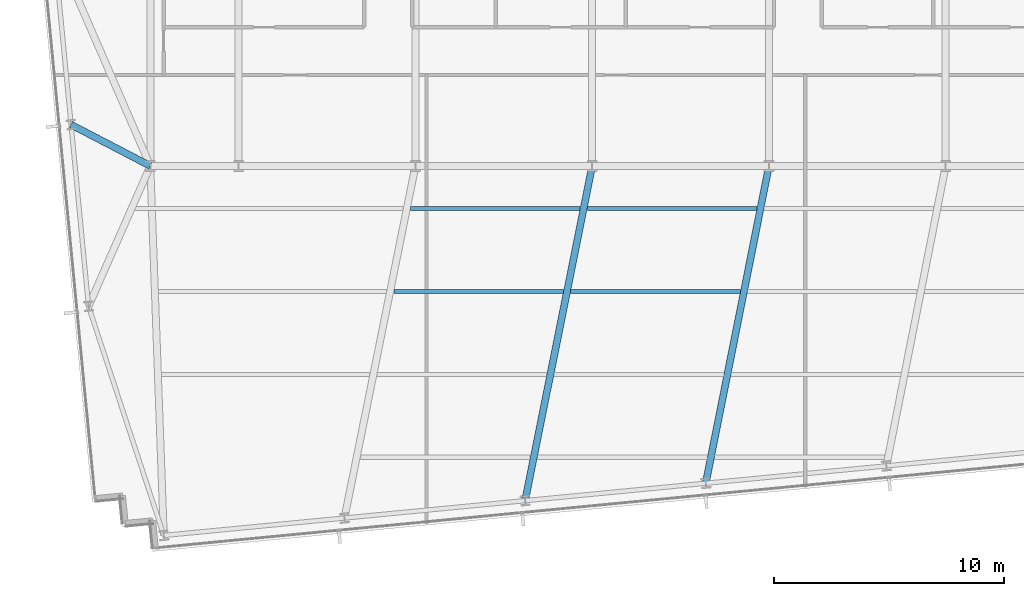
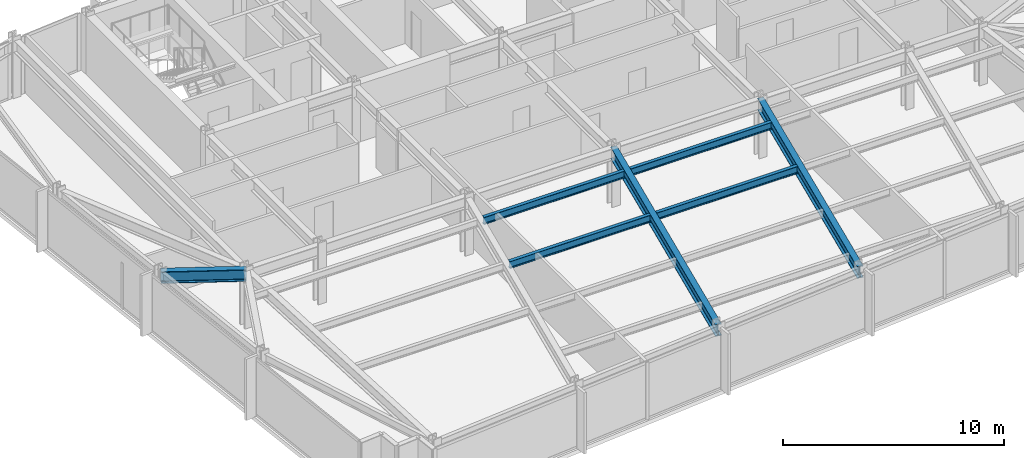
# One storey, part 5 of 32: 7 beams.
"""IFC4 building model written with IfcOpenShell, lengths in metres."""

from ifc_helpers import new_model, si_unit, direction, frame, origin, origin_2d, place, context, subcontext, project, spatial, i_section, extrude, material, material_profile, profile_set, type_object, element, save


model = new_model("IFC4")

# Units and contexts
model_context = context("Model", 3, precision=1e-05, world=origin(), true_north=direction((0.0, 1.0)))
body_context = subcontext(model_context, "Body", "Model", "MODEL_VIEW")
ifc_project = project(units=[si_unit("LENGTHUNIT", "METRE"), si_unit("AREAUNIT", "SQUARE_METRE"), si_unit("VOLUMEUNIT", "CUBIC_METRE"), si_unit("PLANEANGLEUNIT", "RADIAN"), si_unit("MASSUNIT", "GRAM", prefix="KILO")], contexts=[model_context])

# Site, building, storey
site_placement = place(None, origin())
site = spatial("IfcSite", under=ifc_project, at=site_placement, CompositionType="ELEMENT")
building_placement = place(site_placement, origin())
building = spatial("IfcBuilding", under=site, at=building_placement, Name="Yelkora Congress Tower", CompositionType="ELEMENT")
storey_placement = place(building_placement, frame((0.0, 0.0, 120.300048828125)))
storey = spatial("IfcBuildingStorey", under=building, at=storey_placement, Name="L32", CompositionType="ELEMENT", Elevation=120.300048828125)

# Beams
ifc_material = material(Name="Steel S355J2", Category="steel")
ifc_material_profile_1 = material_profile(ifc_material, i_section(OverallWidth=0.300048828125, OverallDepth=0.64990234375, WebThickness=0.01611328125, FlangeThickness=0.031005859375, FilletRadius=0.027099609375, at=origin_2d()), Name="HEB 650")
ifc_profile_set_1 = profile_set([ifc_material_profile_1], Name="Steel S355J2")
beam_type_1 = type_object("IfcBeamType", Name="BM-GIRD-HEB650", PredefinedType="BEAM", material=ifc_profile_set_1)
beam_1_placement = place(storey_placement, frame((35.48486328125, 10.656005859375, 2.85498046875), z_axis=(0.196521264673, 0.980499562739, 0.0), x_axis=(-0.980499562739, 0.196521264673, 0.0)))
element("IfcBeam", 1, at=beam_1_placement, inside=storey, type_object=beam_type_1, Name="L32 Primary Frame Girder S03", PredefinedType="BEAM", context=body_context, shape_type="SweptSolid", body=[
    extrude(i_section(OverallWidth=0.300048828125, OverallDepth=0.64990234375, WebThickness=0.01611328125, FlangeThickness=0.031005859375, FilletRadius=0.027099609375, at=origin_2d()), origin(), (0.0, 0.0, 1.0), 14.833251953125),
])
beam_2_placement = place(storey_placement, frame((43.334228515625, 11.411865234375, 2.85498046875), z_axis=(0.195311238928, 0.980741311432, 0.0), x_axis=(-0.980741311432, 0.195311238928, 0.0)))
element("IfcBeam", 2, at=beam_2_placement, inside=storey, type_object=beam_type_1, Name="L32 Primary Frame Girder S04", PredefinedType="BEAM", context=body_context, shape_type="SweptSolid", body=[
    extrude(i_section(OverallWidth=0.300048828125, OverallDepth=0.64990234375, WebThickness=0.01611328125, FlangeThickness=0.031005859375, FilletRadius=0.027099609375, at=origin_2d()), origin(), (0.0, 0.0, 1.0), 14.058837890625),
])
beam_3_placement = place(storey_placement, frame((15.757080078125, 26.990478515625, 2.85498046875), z_axis=(0.887192078676, -0.461400276912, 0.0), x_axis=(0.461400276912, 0.887192078676, 0.0)))
element("IfcBeam", 3, at=beam_3_placement, inside=storey, type_object=beam_type_1, Name="L32 Primary Frame Girder W02", PredefinedType="BEAM", context=body_context, shape_type="SweptSolid", body=[
    extrude(i_section(OverallWidth=0.300048828125, OverallDepth=0.64990234375, WebThickness=0.01611328125, FlangeThickness=0.031005859375, FilletRadius=0.027099609375, at=origin_2d()), origin(), (0.0, 0.0, 1.0), 3.880615234375),
])
ifc_material_profile_2 = material_profile(ifc_material, i_section(OverallWidth=0.179931640625, OverallDepth=0.39990234375, WebThickness=0.008544921875, FlangeThickness=0.013427734375, FilletRadius=0.02099609375, at=origin_2d()), Name="IPE 400")
ifc_profile_set_2 = profile_set([ifc_material_profile_2], Name="Steel S355J2")
beam_type_2 = type_object("IfcBeamType", Name="BM-JOIST-IPE400", PredefinedType="JOIST", material=ifc_profile_set_2)
beam_4_placement = place(storey_placement, frame((29.780029296875, 19.744384765625, 2.97998046875), z_axis=(1.0, 0.0, 0.0), x_axis=(0.0, 1.0, 0.0)))
element("IfcBeam", 4, at=beam_4_placement, inside=storey, type_object=beam_type_2, Name="L32 Composite Floor Joist 12", PredefinedType="JOIST", context=body_context, shape_type="SweptSolid", body=[
    extrude(i_section(OverallWidth=0.179931640625, OverallDepth=0.39990234375, WebThickness=0.008544921875, FlangeThickness=0.013427734375, FilletRadius=0.02099609375, at=origin_2d()), origin(), (0.0, 0.0, 1.0), 7.366455078125),
])
beam_5_placement = place(storey_placement, frame((37.466552734375, 19.744384765625, 2.97998046875), z_axis=(1.0, 0.0, 0.0), x_axis=(0.0, 1.0, 0.0)))
element("IfcBeam", 5, at=beam_5_placement, inside=storey, type_object=beam_type_2, Name="L32 Composite Floor Joist 13", PredefinedType="JOIST", context=body_context, shape_type="SweptSolid", body=[
    extrude(i_section(OverallWidth=0.179931640625, OverallDepth=0.39990234375, WebThickness=0.008544921875, FlangeThickness=0.013427734375, FilletRadius=0.02099609375, at=origin_2d()), origin(), (0.0, 0.0, 1.0), 7.366943359375),
])
beam_6_placement = place(storey_placement, frame((30.505859375, 23.344482421875, 2.97998046875), z_axis=(1.0, 0.0, 0.0), x_axis=(0.0, 1.0, 0.0)))
element("IfcBeam", 6, at=beam_6_placement, inside=storey, type_object=beam_type_2, Name="L32 Composite Floor Joist 19", PredefinedType="JOIST", context=body_context, shape_type="SweptSolid", body=[
    extrude(i_section(OverallWidth=0.179931640625, OverallDepth=0.39990234375, WebThickness=0.008544921875, FlangeThickness=0.013427734375, FilletRadius=0.02099609375, at=origin_2d()), origin(), (0.0, 0.0, 1.0), 7.3623046875),
])
beam_7_placement = place(storey_placement, frame((38.18798828125, 23.344482421875, 2.97998046875), z_axis=(1.0, 0.0, 0.0), x_axis=(0.0, 1.0, 0.0)))
element("IfcBeam", 7, at=beam_7_placement, inside=storey, type_object=beam_type_2, Name="L32 Composite Floor Joist 20", PredefinedType="JOIST", context=body_context, shape_type="SweptSolid", body=[
    extrude(i_section(OverallWidth=0.179931640625, OverallDepth=0.39990234375, WebThickness=0.008544921875, FlangeThickness=0.013427734375, FilletRadius=0.02099609375, at=origin_2d()), origin(), (0.0, 0.0, 1.0), 7.362548828125),
])

save(model, "model.ifc")
